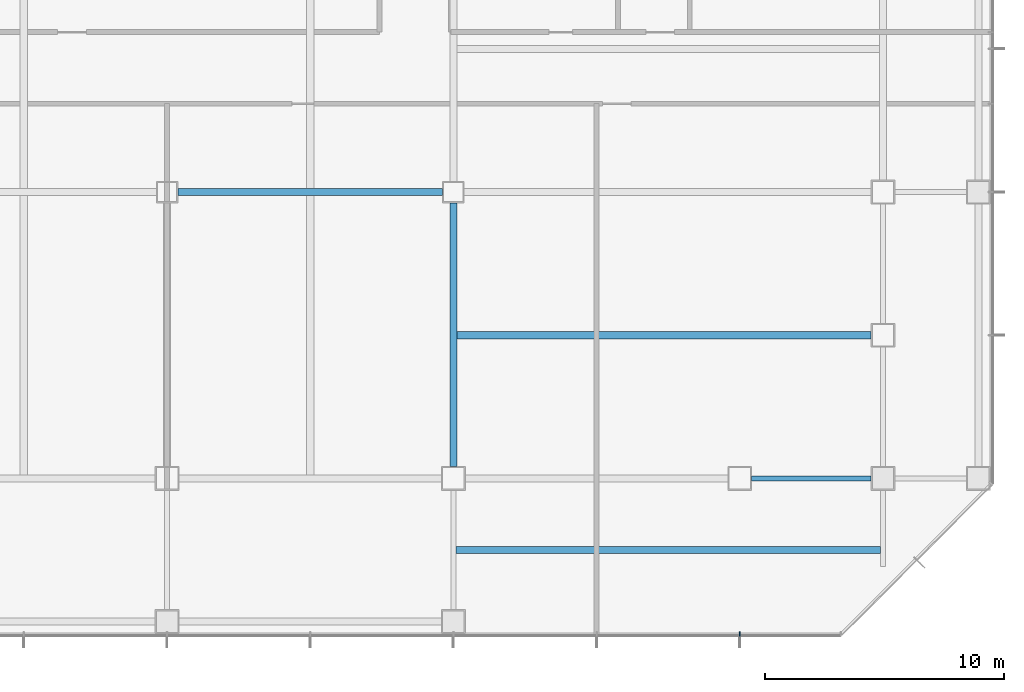
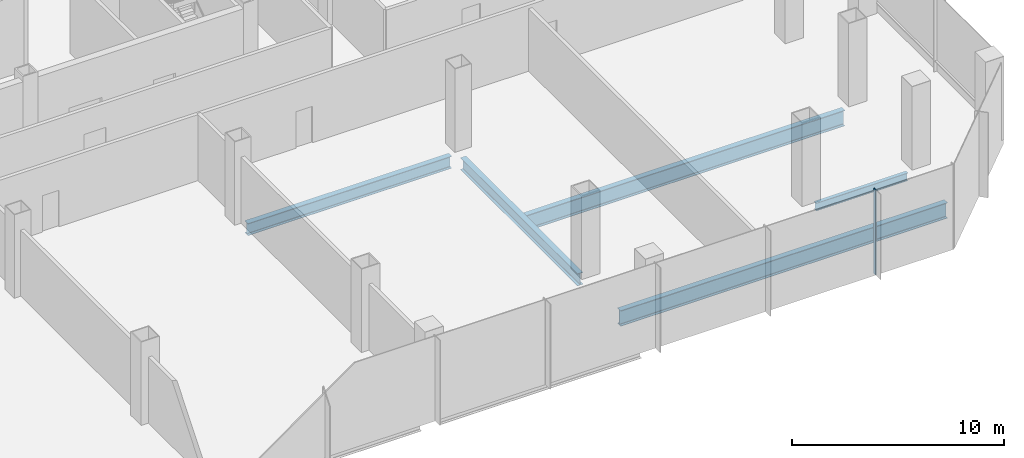
# One storey, part 9 of 34: 5 beams, 1 member, 1 element without a shape of its own.
"""IFC4 building model written with IfcOpenShell, lengths in metres."""

from ifc_helpers import new_model, si_unit, direction, frame, origin, origin_2d, place, context, subcontext, project, spatial, rectangle, i_section, extrude, material, material_profile, profile_set, type_object, element, aggregate, save


model = new_model("IFC4")

# Units and contexts
model_context = context("Model", 3, precision=1e-05, world=origin(), true_north=direction((0.0, 1.0)))
body_context = subcontext(model_context, "Body", "Model", "MODEL_VIEW")
ifc_project = project(units=[si_unit("LENGTHUNIT", "METRE"), si_unit("AREAUNIT", "SQUARE_METRE"), si_unit("VOLUMEUNIT", "CUBIC_METRE"), si_unit("PLANEANGLEUNIT", "RADIAN"), si_unit("MASSUNIT", "GRAM", prefix="KILO")], contexts=[model_context])

# Site, building, storey
site_placement = place(None, origin())
site = spatial("IfcSite", under=ifc_project, at=site_placement, CompositionType="ELEMENT")
building_placement = place(site_placement, origin())
building = spatial("IfcBuilding", under=site, at=building_placement, Name="Sorahane Residences", CompositionType="ELEMENT")
storey_placement = place(building_placement, frame((0.0, 0.0, 39.60009765625)))
storey = spatial("IfcBuildingStorey", under=building, at=storey_placement, Name="L06", CompositionType="ELEMENT", Elevation=39.60009765625)

# Curtain wall, member
ifc_material_1 = material(Name="Dark low-e glass and black anodised aluminium", Category="aluminium")
curtain_wall_type = type_object("IfcCurtainWallType", Name="Curtain wall CW-3 Podium unitised wall", PredefinedType="NOTDEFINED", material=ifc_material_1)
curtain_wall_placement = place(storey_placement, origin())
curtain_wall = element("IfcCurtainWall", 1, at=curtain_wall_placement, inside=storey, type_object=curtain_wall_type, Name="CW-3 curtain wall L06 S1", PredefinedType="NOTDEFINED")
ifc_material_2 = material(Name="Black anodised aluminium", Category="aluminium")
ifc_material_profile_1 = material_profile(ifc_material_2, rectangle(XDim=0.199951171875, YDim=0.050048828125, at=origin_2d()), Name="Curtain wall mullion CW-3 black anodised aluminium 50x200")
ifc_profile_set_1 = profile_set([ifc_material_profile_1], Name="Black anodised aluminium")
member_type = type_object("IfcMemberType", Name="Curtain wall mullion CW-3 black anodised aluminium 50x200", PredefinedType="MULLION", material=ifc_profile_set_1)
member_placement = place(storey_placement, frame((60.0, -6.52001953125, -0.400146484375), z_axis=(0.0, 0.0, 1.0), x_axis=(0.0, -1.0, 0.0)))
member = element("IfcMember", 2, at=member_placement, type_object=member_type, Name="CW-3 mullion L06 S1.10", PredefinedType="MULLION", context=body_context, shape_type="SweptSolid", body=[
    extrude(rectangle(XDim=0.199951171875, YDim=0.050048828125, at=origin_2d()), origin(), (0.0, 0.0, 1.0), 4.900146484375),
])
aggregate(curtain_wall, [member])

# Beams
ifc_material_3 = material(Name="Steel Q355B", Category="steel")
ifc_material_profile_2 = material_profile(ifc_material_3, i_section(OverallWidth=0.199951171875, OverallDepth=0.449951171875, WebThickness=0.009033203125, FlangeThickness=0.013916015625, FilletRadius=0.02001953125, at=origin_2d()), Name="HN 450x200x9x14")
ifc_profile_set_2 = profile_set([ifc_material_profile_2], Name="Steel Q355B")
beam_type_1 = type_object("IfcBeamType", Name="Steel floor beam HN 450x200x9x14 Q355B", PredefinedType="BEAM", material=ifc_profile_set_2)
beam_1_placement = place(storey_placement, frame((60.5, 0.0, -0.625), z_axis=(1.0, 0.0, 0.0), x_axis=(0.0, 1.0, 0.0)))
element("IfcBeam", 3, at=beam_1_placement, inside=storey, type_object=beam_type_1, Name="Beam L06 006", PredefinedType="BEAM", context=body_context, shape_type="SweptSolid", body=[
    extrude(i_section(OverallWidth=0.199951171875, OverallDepth=0.449951171875, WebThickness=0.009033203125, FlangeThickness=0.013916015625, FilletRadius=0.02001953125, at=origin_2d()), origin(), (0.0, 0.0, 1.0), 5.0),
])
ifc_material_4 = material(Name="Steel Q355B", Category="steel")
ifc_material_profile_3 = material_profile(ifc_material_4, i_section(OverallWidth=0.300048828125, OverallDepth=0.699951171875, WebThickness=0.012939453125, FlangeThickness=0.02392578125, FilletRadius=0.028076171875, at=origin_2d()), Name="HN 700x300x13x24")
ifc_profile_set_3 = profile_set([ifc_material_profile_3], Name="Steel Q355B")
beam_type_2 = type_object("IfcBeamType", Name="Steel floor beam HN 700x300x13x24 Q355B", PredefinedType="BEAM", material=ifc_profile_set_3)
beam_2_placement = place(storey_placement, frame((36.449951171875, 12.0, -0.75), z_axis=(1.0, 0.0, 0.0), x_axis=(0.0, 1.0, 0.0)))
element("IfcBeam", 4, at=beam_2_placement, inside=storey, type_object=beam_type_2, Name="Beam L06 011", PredefinedType="BEAM", context=body_context, shape_type="SweptSolid", body=[
    extrude(i_section(OverallWidth=0.300048828125, OverallDepth=0.699951171875, WebThickness=0.012939453125, FlangeThickness=0.02392578125, FilletRadius=0.028076171875, at=origin_2d()), origin(), (0.0, 0.0, 1.0), 11.10009765625),
])
beam_3_placement = place(storey_placement, frame((48.0, 0.5, -0.75), z_axis=(0.0, 1.0, 0.0), x_axis=(-1.0, 0.0, 0.0)))
element("IfcBeam", 5, at=beam_3_placement, inside=storey, type_object=beam_type_2, Name="Beam L06 063", PredefinedType="BEAM", context=body_context, shape_type="SweptSolid", body=[
    extrude(i_section(OverallWidth=0.300048828125, OverallDepth=0.699951171875, WebThickness=0.012939453125, FlangeThickness=0.02392578125, FilletRadius=0.028076171875, at=origin_2d()), origin(), (0.0, 0.0, 1.0), 11.050048828125),
])
ifc_material_5 = material(Name="Steel Q355B", Category="steel")
ifc_material_profile_4 = material_profile(ifc_material_5, i_section(OverallWidth=0.300048828125, OverallDepth=0.89990234375, WebThickness=0.01611328125, FlangeThickness=0.028076171875, FilletRadius=0.028076171875, at=origin_2d()), Name="HN 900x300x16x28")
ifc_profile_set_4 = profile_set([ifc_material_profile_4], Name="Steel Q355B")
beam_type_3 = type_object("IfcBeamType", Name="Steel floor beam HN 900x300x16x28 Q355B", PredefinedType="BEAM", material=ifc_profile_set_4)
beam_4_placement = place(storey_placement, frame((48.150146484375, 6.0, -0.85009765625), z_axis=(1.0, 0.0, 0.0), x_axis=(0.0, 1.0, 0.0)))
element("IfcBeam", 6, at=beam_4_placement, inside=storey, type_object=beam_type_3, Name="Beam L06 083", PredefinedType="BEAM", context=body_context, shape_type="SweptSolid", body=[
    extrude(i_section(OverallWidth=0.300048828125, OverallDepth=0.89990234375, WebThickness=0.01611328125, FlangeThickness=0.028076171875, FilletRadius=0.028076171875, at=origin_2d()), origin(), (0.0, 0.0, 1.0), 17.349609375),
])
beam_5_placement = place(storey_placement, frame((48.10009765625, -3.0, -0.85009765625), z_axis=(1.0, 0.0, 0.0), x_axis=(0.0, 1.0, 0.0)))
element("IfcBeam", 7, at=beam_5_placement, inside=storey, type_object=beam_type_3, Name="Beam L06 088", PredefinedType="BEAM", context=body_context, shape_type="SweptSolid", body=[
    extrude(i_section(OverallWidth=0.300048828125, OverallDepth=0.89990234375, WebThickness=0.01611328125, FlangeThickness=0.028076171875, FilletRadius=0.028076171875, at=origin_2d()), origin(), (0.0, 0.0, 1.0), 17.7998046875),
])

save(model, "model.ifc")
